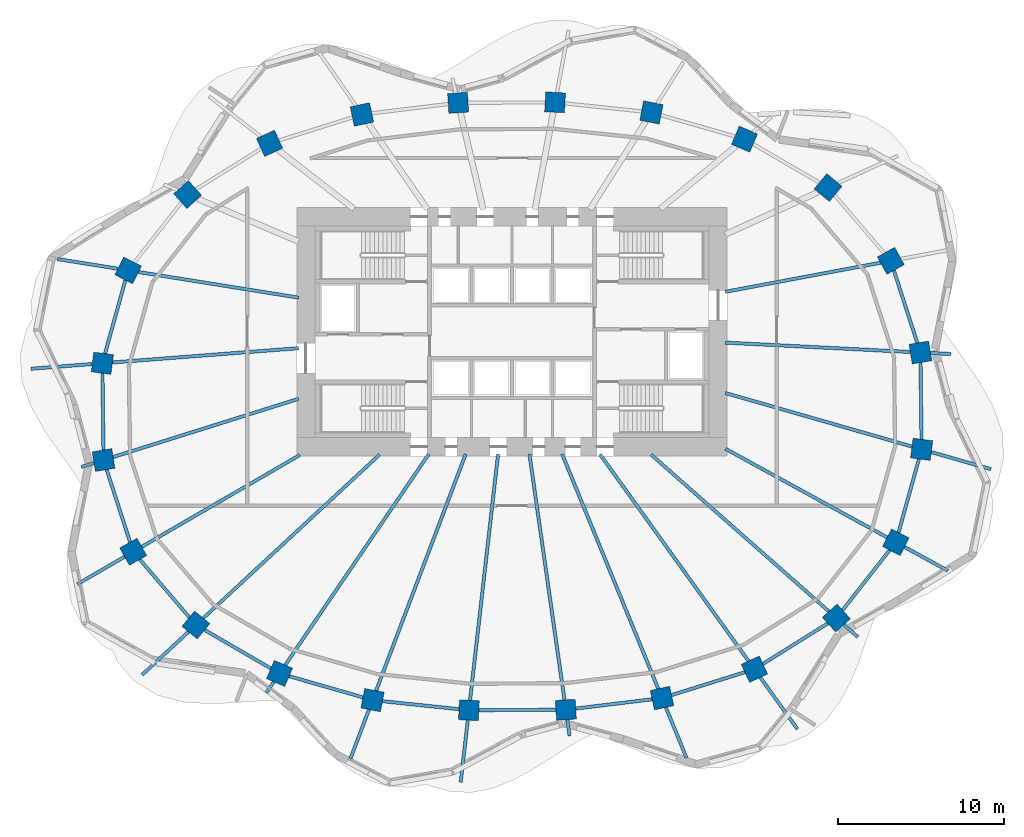
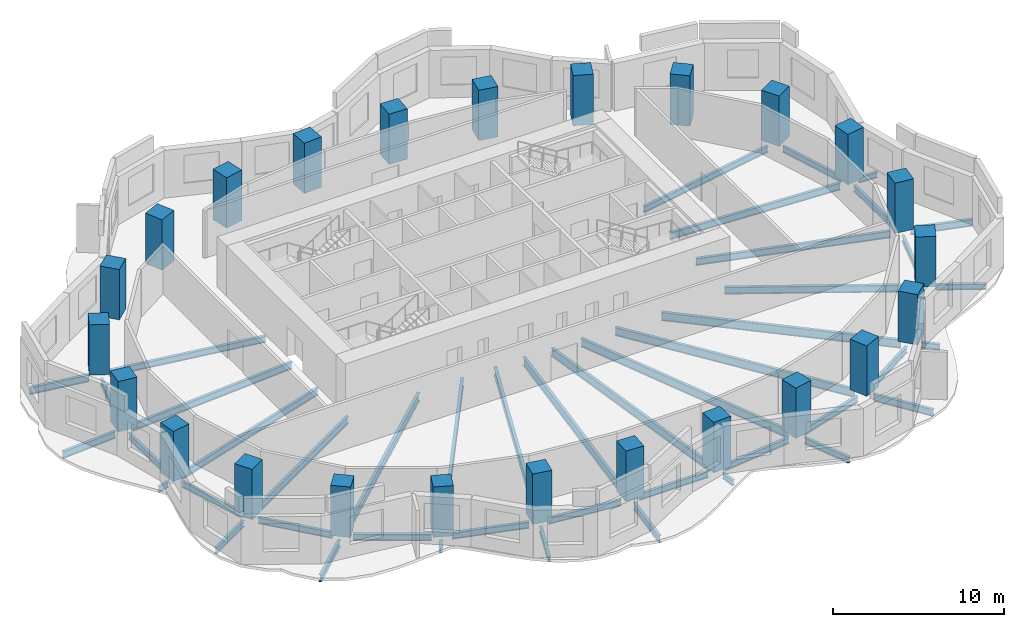
# One storey, part 1 of 8: 46 beams, 24 columns.
"""IFC4 building model written with IfcOpenShell, lengths in metres."""

from ifc_helpers import new_model, si_unit, direction, frame, origin, origin_2d, place, context, subcontext, project, spatial, rectangle, i_section, extrude, material, material_profile, profile_set, type_object, element, save


model = new_model("IFC4")

# Units and contexts
model_context = context("Model", 3, precision=1e-05, world=origin(), true_north=direction((0.0, 1.0)))
body_context = subcontext(model_context, "Body", "Model", "MODEL_VIEW")
ifc_project = project(units=[si_unit("LENGTHUNIT", "METRE"), si_unit("AREAUNIT", "SQUARE_METRE"), si_unit("VOLUMEUNIT", "CUBIC_METRE"), si_unit("PLANEANGLEUNIT", "RADIAN"), si_unit("MASSUNIT", "GRAM", prefix="KILO")], contexts=[model_context])

# Site, building, storey
site_placement = place(None, origin())
site = spatial("IfcSite", under=ifc_project, at=site_placement, CompositionType="ELEMENT")
building_placement = place(site_placement, origin())
building = spatial("IfcBuilding", under=site, at=building_placement, Name="Rubra Terraces Tower", CompositionType="ELEMENT")
storey_placement = place(building_placement, frame((0.0, 0.0, 106.800048828125)))
storey = spatial("IfcBuildingStorey", under=building, at=storey_placement, Name="L25", CompositionType="ELEMENT", Elevation=106.800048828125)

# Columns
ifc_material_1 = material(Name="Concrete C60", Category="concrete")
ifc_material_profile_1 = material_profile(ifc_material_1, rectangle(XDim=1.199951171875, YDim=1.199951171875, at=origin_2d()), Name="RC 1200x1200")
ifc_profile_set_1 = profile_set([ifc_material_profile_1], Name="Concrete C60")
column_type = type_object("IfcColumnType", Name="RING COLUMN RC 1200x1200 C60", PredefinedType="COLUMN", material=ifc_profile_set_1)
for number, where, z_axis, x_axis, name in (
    (1, (24.6689453125, 3.248046875, 0.0), (0.0, 0.0, 1.0), (-0.161559167715, 0.986863027642, 0.0), "column-L25-ring-01"),
    (2, (22.87890625, 8.787109375, 0.0), (0.0, 0.0, 1.0), (-0.48852601316, 0.872549330678, 0.0), "column-L25-ring-02"),
    (3, (19.092041015625, 13.208984375, 0.0), (0.0, 0.0, 1.0), (-0.76886986222, 0.63940529789, 0.0), "column-L25-ring-03"),
    (4, (14.0419921875, 16.135986328125, 0.0), (0.0, 0.0, 1.0), (-0.920167856842, 0.391524092789, 0.0), "column-L25-ring-04"),
    (5, (8.422119140625, 17.7490234375, 0.0), (0.0, 0.0, 1.0), (-0.981654668733, 0.19066754143, 0.0), "column-L25-ring-05"),
    (6, (2.60205078125, 18.35791015625, 0.0), (0.0, 0.0, 1.0), (-0.998764256028, 0.049698700995, 0.0), "column-L25-ring-06"),
    (7, (-3.25390625, 18.330078125, 0.0), (0.0, 0.0, 1.0), (-0.998031548759, -0.062713855578, 0.0), "column-L25-ring-07"),
    (8, (-9.06298828125, 17.625, 0.0), (0.0, 0.0, 1.0), (-0.977652674797, -0.210226657352, 0.0), "column-L25-ring-08"),
    (9, (-14.64306640625, 15.881103515625, 0.0), (0.0, 0.0, 1.0), (-0.908778580451, -0.417278673927, 0.0), "column-L25-ring-09"),
    (10, (-19.593017578125, 12.7900390625, 0.0), (0.0, 0.0, 1.0), (-0.744021317198, -0.668155879683, 0.0), "column-L25-ring-10"),
    (11, (-23.18505859375, 8.2099609375, 0.0), (0.0, 0.0, 1.0), (-0.451027931402, -0.892509834733, 0.0), "column-L25-ring-11"),
    (12, (-24.742919921875, 2.59912109375, 0.0), (0.0, 0.0, 1.0), (-0.128443684554, -0.991716804283, 0.0), "column-L25-ring-12"),
    (13, (-24.6689453125, -3.248046875, 0.0), (0.0, 0.0, 1.0), (0.161559167715, -0.986863027642, 0.0), "column-L25-ring-13"),
    (14, (-22.87890625, -8.787109375, 0.0), (0.0, 0.0, 1.0), (0.48852601316, -0.872549330678, 0.0), "column-L25-ring-14"),
    (15, (-19.092041015625, -13.208984375, 0.0), (0.0, 0.0, 1.0), (0.76886986222, -0.63940529789, 0.0), "column-L25-ring-15"),
    (16, (-14.0419921875, -16.135986328125, 0.0), (0.0, 0.0, 1.0), (0.920167856842, -0.391524092789, 0.0), "column-L25-ring-16"),
    (17, (-8.422119140625, -17.7490234375, 0.0), (0.0, 0.0, 1.0), (0.981654668733, -0.19066754143, 0.0), "column-L25-ring-17"),
    (18, (-2.60205078125, -18.35791015625, 0.0), (0.0, 0.0, 1.0), (0.998764256028, -0.049698700995, 0.0), "column-L25-ring-18"),
    (19, (3.25390625, -18.330078125, 0.0), (0.0, 0.0, 1.0), (0.998031548759, 0.062713855578, 0.0), "column-L25-ring-19"),
    (20, (9.06298828125, -17.625, 0.0), (0.0, 0.0, 1.0), (0.977652674797, 0.210226657352, 0.0), "column-L25-ring-20"),
    (21, (14.64306640625, -15.881103515625, 0.0), (0.0, 0.0, 1.0), (0.908778580451, 0.417278673927, 0.0), "column-L25-ring-21"),
    (22, (19.593017578125, -12.7900390625, 0.0), (0.0, 0.0, 1.0), (0.744021317198, 0.668155879683, 0.0), "column-L25-ring-22"),
    (23, (23.18505859375, -8.2099609375, 0.0), (0.0, 0.0, 1.0), (0.451027931402, 0.892509834733, 0.0), "column-L25-ring-23"),
    (24, (24.742919921875, -2.59912109375, 0.0), (0.0, 0.0, 1.0), (0.128443684554, 0.991716804283, 0.0), "column-L25-ring-24"),
):
    element("IfcColumn", number, at=place(storey_placement, frame(where, z_axis=z_axis, x_axis=x_axis)), inside=storey, type_object=column_type, Name=name, PredefinedType="COLUMN", context=body_context, shape_type="SweptSolid", body=[
        extrude(rectangle(XDim=1.199951171875, YDim=1.199951171875, at=origin_2d()), origin(), (0.0, 0.0, 1.0), 3.599853515625),
    ])

# Beams
ifc_material_2 = material(Name="Steel Q355B", Category="steel")
ifc_material_profile_2 = material_profile(ifc_material_2, i_section(OverallWidth=0.199951171875, OverallDepth=0.39990234375, WebThickness=0.008056640625, FlangeThickness=0.012939453125, at=origin_2d()), Name="HN 400x200x8x13")
ifc_profile_set_2 = profile_set([ifc_material_profile_2], Name="Steel Q355B")
beam_type_1 = type_object("IfcBeamType", Name="CANTILEVER BEAM HN 400x200x8x13", PredefinedType="BEAM", material=ifc_profile_set_2)
beam_1_placement = place(storey_placement, frame((-8.637939453125, -18.318115234375, -0.400146484375), z_axis=(-0.353924982786, -0.935273813682, 0.0), x_axis=(0.935273813682, -0.353924982786, 0.0)))
element("IfcBeam", 25, at=beam_1_placement, inside=storey, type_object=beam_type_1, Name="beam-L25-cant-17", PredefinedType="BEAM", context=body_context, shape_type="SweptSolid", body=[
    extrude(i_section(OverallWidth=0.199951171875, OverallDepth=0.39990234375, WebThickness=0.008056640625, FlangeThickness=0.012939453125, at=origin_2d()), origin(), (0.0, 0.0, 1.0), 3.159423828125),
])
beam_2_placement = place(storey_placement, frame((23.7109375, -8.4990234375, -0.400146484375), z_axis=(0.876950651009, -0.480580436238, 0.0), x_axis=(0.480580436238, 0.876950651009, 0.0)))
element("IfcBeam", 26, at=beam_2_placement, inside=storey, type_object=beam_type_1, Name="beam-L25-cant-23", PredefinedType="BEAM", context=body_context, shape_type="SweptSolid", body=[
    extrude(i_section(OverallWidth=0.199951171875, OverallDepth=0.39990234375, WebThickness=0.008056640625, FlangeThickness=0.012939453125, at=origin_2d()), origin(), (0.0, 0.0, 1.0), 2.9775390625),
])
ifc_material_profile_3 = material_profile(ifc_material_2, i_section(OverallWidth=0.198974609375, OverallDepth=0.446044921875, WebThickness=0.008056640625, FlangeThickness=0.011962890625, at=origin_2d()), Name="HN 446x199x8x12")
ifc_profile_set_3 = profile_set([ifc_material_profile_3], Name="Steel Q355B")
beam_type_2 = type_object("IfcBeamType", Name="CANTILEVER BEAM HN 446x199x8x12", PredefinedType="BEAM", material=ifc_profile_set_3)
beam_3_placement = place(storey_placement, frame((-23.39794921875, -9.087890625, -0.423095703125), z_axis=(-0.86464262301, -0.50238743463, 0.0), x_axis=(0.50238743463, -0.86464262301, 0.0)))
element("IfcBeam", 27, at=beam_3_placement, inside=storey, type_object=beam_type_2, Name="beam-L25-cant-14", PredefinedType="BEAM", context=body_context, shape_type="SweptSolid", body=[
    extrude(i_section(OverallWidth=0.198974609375, OverallDepth=0.446044921875, WebThickness=0.008056640625, FlangeThickness=0.011962890625, at=origin_2d()), origin(), (0.0, 0.0, 1.0), 3.29638671875),
])
beam_4_placement = place(storey_placement, frame((9.2939453125, -18.18896484375, -0.423095703125), z_axis=(0.379126606242, -0.925344809484, 0.0), x_axis=(0.925344809484, 0.379126606242, 0.0)))
element("IfcBeam", 28, at=beam_4_placement, inside=storey, type_object=beam_type_2, Name="beam-L25-cant-20", PredefinedType="BEAM", context=body_context, shape_type="SweptSolid", body=[
    extrude(i_section(OverallWidth=0.198974609375, OverallDepth=0.446044921875, WebThickness=0.008056640625, FlangeThickness=0.011962890625, at=origin_2d()), origin(), (0.0, 0.0, 1.0), 3.2919921875),
])
ifc_material_profile_4 = material_profile(ifc_material_2, i_section(OverallWidth=0.198974609375, OverallDepth=0.49609375, WebThickness=0.009033203125, FlangeThickness=0.013916015625, at=origin_2d()), Name="HN 496x199x9x14")
ifc_profile_set_4 = profile_set([ifc_material_profile_4], Name="Steel Q355B")
beam_type_3 = type_object("IfcBeamType", Name="CANTILEVER BEAM HN 496x199x9x14", PredefinedType="BEAM", material=ifc_profile_set_4)
beam_5_placement = place(storey_placement, frame((-23.806884765625, 8.31005859375, -0.447998046875), z_axis=(-0.987475125266, 0.157774766614, 0.0), x_axis=(-0.157774766614, -0.987475125266, 0.0)))
element("IfcBeam", 29, at=beam_5_placement, inside=storey, type_object=beam_type_3, Name="beam-L25-cant-11", PredefinedType="BEAM", context=body_context, shape_type="SweptSolid", body=[
    extrude(i_section(OverallWidth=0.198974609375, OverallDepth=0.49609375, WebThickness=0.009033203125, FlangeThickness=0.013916015625, at=origin_2d()), origin(), (0.0, 0.0, 1.0), 3.70751953125),
])
beam_6_placement = place(storey_placement, frame((-25.35400390625, 2.552001953125, -0.447998046875), z_axis=(-0.997073018081, -0.076455193514, 0.0), x_axis=(0.076455193514, -0.997073018081, 0.0)))
element("IfcBeam", 30, at=beam_6_placement, inside=storey, type_object=beam_type_3, Name="beam-L25-cant-12", PredefinedType="BEAM", context=body_context, shape_type="SweptSolid", body=[
    extrude(i_section(OverallWidth=0.198974609375, OverallDepth=0.49609375, WebThickness=0.009033203125, FlangeThickness=0.013916015625, at=origin_2d()), origin(), (0.0, 0.0, 1.0), 3.7138671875),
])
beam_7_placement = place(storey_placement, frame((-19.535888671875, -13.6201171875, -0.447998046875), z_axis=(-0.733193505832, -0.680020060737, 0.0), x_axis=(0.680020060737, -0.733193505832, 0.0)))
element("IfcBeam", 31, at=beam_7_placement, inside=storey, type_object=beam_type_3, Name="beam-L25-cant-15", PredefinedType="BEAM", context=body_context, shape_type="SweptSolid", body=[
    extrude(i_section(OverallWidth=0.198974609375, OverallDepth=0.49609375, WebThickness=0.009033203125, FlangeThickness=0.013916015625, at=origin_2d()), origin(), (0.0, 0.0, 1.0), 3.82470703125),
])
beam_8_placement = place(storey_placement, frame((-2.669921875, -18.955078125, -0.447998046875), z_axis=(-0.113077962059, -0.993586118309, 0.0), x_axis=(0.993586118309, -0.113077962059, 0.0)))
element("IfcBeam", 32, at=beam_8_placement, inside=storey, type_object=beam_type_3, Name="beam-L25-cant-18", PredefinedType="BEAM", context=body_context, shape_type="SweptSolid", body=[
    extrude(i_section(OverallWidth=0.198974609375, OverallDepth=0.49609375, WebThickness=0.009033203125, FlangeThickness=0.013916015625, at=origin_2d()), origin(), (0.0, 0.0, 1.0), 3.776123046875),
])
beam_9_placement = place(storey_placement, frame((15.0, -16.376953125, -0.447998046875), z_axis=(0.583285233982, -0.812267404134, 0.0), x_axis=(0.812267404134, 0.583285233982, 0.0)))
element("IfcBeam", 33, at=beam_9_placement, inside=storey, type_object=beam_type_3, Name="beam-L25-cant-21", PredefinedType="BEAM", context=body_context, shape_type="SweptSolid", body=[
    extrude(i_section(OverallWidth=0.198974609375, OverallDepth=0.49609375, WebThickness=0.009033203125, FlangeThickness=0.013916015625, at=origin_2d()), origin(), (0.0, 0.0, 1.0), 3.84375),
])
beam_10_placement = place(storey_placement, frame((25.325927734375, -2.76611328125, -0.447998046875), z_axis=(0.961186424696, -0.275899722691, 0.0), x_axis=(0.275899722691, 0.961186424696, 0.0)))
element("IfcBeam", 34, at=beam_10_placement, inside=storey, type_object=beam_type_3, Name="beam-L25-cant-24", PredefinedType="BEAM", context=body_context, shape_type="SweptSolid", body=[
    extrude(i_section(OverallWidth=0.198974609375, OverallDepth=0.49609375, WebThickness=0.009033203125, FlangeThickness=0.013916015625, at=origin_2d()), origin(), (0.0, 0.0, 1.0), 3.74755859375),
])
ifc_material_profile_5 = material_profile(ifc_material_2, i_section(OverallWidth=0.199951171875, OverallDepth=0.39990234375, WebThickness=0.008056640625, FlangeThickness=0.012939453125, at=origin_2d()), Name="HN 400x200x8x13")
ifc_profile_set_5 = profile_set([ifc_material_profile_5], Name="Steel Q355B")
beam_type_4 = type_object("IfcBeamType", Name="CANTILEVER STUB HN 400x200x8x13", PredefinedType="BEAM", material=ifc_profile_set_5)
beam_11_placement = place(storey_placement, frame((25.281982421875, 3.217041015625, -0.400146484375), z_axis=(0.998710628235, -0.05076495889, 0.0), x_axis=(0.05076495889, 0.998710628235, 0.0)))
element("IfcBeam", 35, at=beam_11_placement, inside=storey, type_object=beam_type_4, Name="beam-L25-cant-01", PredefinedType="BEAM", context=body_context, shape_type="SweptSolid", body=[
    extrude(i_section(OverallWidth=0.199951171875, OverallDepth=0.39990234375, WebThickness=0.008056640625, FlangeThickness=0.012939453125, at=origin_2d()), origin(), (0.0, 0.0, 1.0), 1.221435546875),
])
beam_12_placement = place(storey_placement, frame((-25.2470703125, -3.429931640625, -0.400146484375), z_axis=(-0.954158471726, -0.299301872419, 0.0), x_axis=(0.299301872419, -0.954158471726, 0.0)))
element("IfcBeam", 36, at=beam_12_placement, inside=storey, type_object=beam_type_4, Name="beam-L25-cant-13", PredefinedType="BEAM", context=body_context, shape_type="SweptSolid", body=[
    extrude(i_section(OverallWidth=0.199951171875, OverallDepth=0.39990234375, WebThickness=0.008056640625, FlangeThickness=0.012939453125, at=origin_2d()), origin(), (0.0, 0.0, 1.0), 0.798583984375),
])
beam_13_placement = place(storey_placement, frame((-14.385986328125, -16.64208984375, -0.400146484375), z_axis=(-0.562508960897, -0.826791188215, 0.0), x_axis=(0.826791188215, -0.562508960897, 0.0)))
element("IfcBeam", 37, at=beam_13_placement, inside=storey, type_object=beam_type_4, Name="beam-L25-cant-16", PredefinedType="BEAM", context=body_context, shape_type="SweptSolid", body=[
    extrude(i_section(OverallWidth=0.199951171875, OverallDepth=0.39990234375, WebThickness=0.008056640625, FlangeThickness=0.012939453125, at=origin_2d()), origin(), (0.0, 0.0, 1.0), 0.8056640625),
])
beam_14_placement = place(storey_placement, frame((3.339111328125, -18.926025390625, -0.400146484375), z_axis=(0.141042279359, -0.990003573445, 0.0), x_axis=(0.990003573445, 0.141042279359, 0.0)))
element("IfcBeam", 38, at=beam_14_placement, inside=storey, type_object=beam_type_4, Name="beam-L25-cant-19", PredefinedType="BEAM", context=body_context, shape_type="SweptSolid", body=[
    extrude(i_section(OverallWidth=0.199951171875, OverallDepth=0.39990234375, WebThickness=0.008056640625, FlangeThickness=0.012939453125, at=origin_2d()), origin(), (0.0, 0.0, 1.0), 0.991943359375),
])
beam_15_placement = place(storey_placement, frame((20.0458984375, -13.18994140625, -0.400146484375), z_axis=(0.749704782157, -0.661772422825, 0.0), x_axis=(0.661772422825, 0.749704782157, 0.0)))
element("IfcBeam", 39, at=beam_15_placement, inside=storey, type_object=beam_type_4, Name="beam-L25-cant-22", PredefinedType="BEAM", context=body_context, shape_type="SweptSolid", body=[
    extrude(i_section(OverallWidth=0.199951171875, OverallDepth=0.39990234375, WebThickness=0.008056640625, FlangeThickness=0.012939453125, at=origin_2d()), origin(), (0.0, 0.0, 1.0), 1.12451171875),
])
ifc_material_profile_6 = material_profile(ifc_material_2, i_section(OverallWidth=0.198974609375, OverallDepth=0.446044921875, WebThickness=0.008056640625, FlangeThickness=0.011962890625, at=origin_2d()), Name="HN 446x199x8x12")
ifc_profile_set_6 = profile_set([ifc_material_profile_6], Name="Steel Q355B")
beam_type_5 = type_object("IfcBeamType", Name="FLOOR BEAM HN 446x199x8x12", PredefinedType="BEAM", material=ifc_profile_set_6)
beam_16_placement = place(storey_placement, frame((22.257080078125, 8.669921875, -0.423095703125), z_axis=(-0.982909257943, -0.184090713102, 0.0), x_axis=(0.184090713102, -0.982909257943, 0.0)))
element("IfcBeam", 40, at=beam_16_placement, inside=storey, type_object=beam_type_5, Name="beam-L25-floor-02", PredefinedType="BEAM", context=body_context, shape_type="SweptSolid", body=[
    extrude(i_section(OverallWidth=0.198974609375, OverallDepth=0.446044921875, WebThickness=0.008056640625, FlangeThickness=0.011962890625, at=origin_2d()), origin(), (0.0, 0.0, 1.0), 9.5380859375),
])
beam_17_placement = place(storey_placement, frame((-22.56298828125, 8.110107421875, -0.423095703125), z_axis=(0.987438611706, -0.158003126908, 0.0), x_axis=(0.158003126908, 0.987438611706, 0.0)))
element("IfcBeam", 41, at=beam_17_placement, inside=storey, type_object=beam_type_5, Name="beam-L25-floor-11", PredefinedType="BEAM", context=body_context, shape_type="SweptSolid", body=[
    extrude(i_section(OverallWidth=0.198974609375, OverallDepth=0.446044921875, WebThickness=0.008056640625, FlangeThickness=0.011962890625, at=origin_2d()), origin(), (0.0, 0.0, 1.0), 9.803955078125),
])
ifc_material_profile_7 = material_profile(ifc_material_2, i_section(OverallWidth=0.198974609375, OverallDepth=0.49609375, WebThickness=0.009033203125, FlangeThickness=0.013916015625, at=origin_2d()), Name="HN 496x199x9x14")
ifc_profile_set_7 = profile_set([ifc_material_profile_7], Name="Steel Q355B")
beam_type_6 = type_object("IfcBeamType", Name="FLOOR BEAM HN 496x199x9x14", PredefinedType="BEAM", material=ifc_profile_set_7)
beam_18_placement = place(storey_placement, frame((24.055908203125, 3.279052734375, -0.447998046875), z_axis=(-0.998716006853, 0.050659033312, 0.0), x_axis=(-0.050659033312, -0.998716006853, 0.0)))
element("IfcBeam", 42, at=beam_18_placement, inside=storey, type_object=beam_type_6, Name="beam-L25-floor-01", PredefinedType="BEAM", context=body_context, shape_type="SweptSolid", body=[
    extrude(i_section(OverallWidth=0.198974609375, OverallDepth=0.49609375, WebThickness=0.009033203125, FlangeThickness=0.013916015625, at=origin_2d()), origin(), (0.0, 0.0, 1.0), 11.1904296875),
])
beam_19_placement = place(storey_placement, frame((-24.132080078125, 2.64599609375, -0.447998046875), z_axis=(0.99706491124, 0.076560843604, 0.0), x_axis=(-0.076560843604, 0.99706491124, 0.0)))
element("IfcBeam", 43, at=beam_19_placement, inside=storey, type_object=beam_type_6, Name="beam-L25-floor-12", PredefinedType="BEAM", context=body_context, shape_type="SweptSolid", body=[
    extrude(i_section(OverallWidth=0.198974609375, OverallDepth=0.49609375, WebThickness=0.009033203125, FlangeThickness=0.013916015625, at=origin_2d()), origin(), (0.0, 0.0, 1.0), 11.285400390625),
])
beam_20_placement = place(storey_placement, frame((-24.091064453125, -3.06591796875, -0.447998046875), z_axis=(0.954061815263, 0.299609834046, 0.0), x_axis=(-0.299609834046, 0.954061815263, 0.0)))
element("IfcBeam", 44, at=beam_20_placement, inside=storey, type_object=beam_type_6, Name="beam-L25-floor-13", PredefinedType="BEAM", context=body_context, shape_type="SweptSolid", body=[
    extrude(i_section(OverallWidth=0.198974609375, OverallDepth=0.49609375, WebThickness=0.009033203125, FlangeThickness=0.013916015625, at=origin_2d()), origin(), (0.0, 0.0, 1.0), 11.74462890625),
])
beam_21_placement = place(storey_placement, frame((-22.360107421875, -8.486083984375, -0.447998046875), z_axis=(0.864729170152, 0.502238451623, 0.0), x_axis=(-0.502238451623, 0.864729170152, 0.0)))
element("IfcBeam", 45, at=beam_21_placement, inside=storey, type_object=beam_type_6, Name="beam-L25-floor-14", PredefinedType="BEAM", context=body_context, shape_type="SweptSolid", body=[
    extrude(i_section(OverallWidth=0.198974609375, OverallDepth=0.49609375, WebThickness=0.009033203125, FlangeThickness=0.013916015625, at=origin_2d()), origin(), (0.0, 0.0, 1.0), 11.04296875),
])
beam_22_placement = place(storey_placement, frame((22.658935546875, -7.9208984375, -0.447998046875), z_axis=(-0.876910796921, 0.480653153785, 0.0), x_axis=(-0.480653153785, -0.876910796921, 0.0)))
element("IfcBeam", 46, at=beam_22_placement, inside=storey, type_object=beam_type_6, Name="beam-L25-floor-23", PredefinedType="BEAM", context=body_context, shape_type="SweptSolid", body=[
    extrude(i_section(OverallWidth=0.198974609375, OverallDepth=0.49609375, WebThickness=0.009033203125, FlangeThickness=0.013916015625, at=origin_2d()), origin(), (0.0, 0.0, 1.0), 11.134521484375),
])
beam_23_placement = place(storey_placement, frame((24.159912109375, -2.431884765625, -0.447998046875), z_axis=(-0.9612201884, 0.275782068691, 0.0), x_axis=(-0.275782068691, -0.9612201884, 0.0)))
element("IfcBeam", 47, at=beam_23_placement, inside=storey, type_object=beam_type_6, Name="beam-L25-floor-24", PredefinedType="BEAM", context=body_context, shape_type="SweptSolid", body=[
    extrude(i_section(OverallWidth=0.198974609375, OverallDepth=0.49609375, WebThickness=0.009033203125, FlangeThickness=0.013916015625, at=origin_2d()), origin(), (0.0, 0.0, 1.0), 11.729736328125),
])
ifc_material_profile_8 = material_profile(ifc_material_2, i_section(OverallWidth=0.198974609375, OverallDepth=0.595947265625, WebThickness=0.010009765625, FlangeThickness=0.014892578125, at=origin_2d()), Name="HN 596x199x10x15")
ifc_profile_set_8 = profile_set([ifc_material_profile_8], Name="Steel Q355B")
beam_type_7 = type_object("IfcBeamType", Name="FLOOR BEAM HN 596x199x10x15", PredefinedType="BEAM", material=ifc_profile_set_8)
beam_24_placement = place(storey_placement, frame((-18.64794921875, -12.798095703125, -0.498046875), z_axis=(0.733104668463, 0.680115832104, 0.0), x_axis=(-0.680115832104, 0.733104668463, 0.0)))
element("IfcBeam", 48, at=beam_24_placement, inside=storey, type_object=beam_type_7, Name="beam-L25-floor-15", PredefinedType="BEAM", context=body_context, shape_type="SweptSolid", body=[
    extrude(i_section(OverallWidth=0.198974609375, OverallDepth=0.595947265625, WebThickness=0.010009765625, FlangeThickness=0.014892578125, at=origin_2d()), origin(), (0.0, 0.0, 1.0), 14.527099609375),
])
beam_25_placement = place(storey_placement, frame((-13.697998046875, -15.6298828125, -0.498046875), z_axis=(0.562593638313, 0.82673357143, 0.0), x_axis=(-0.82673357143, 0.562593638313, 0.0)))
element("IfcBeam", 49, at=beam_25_placement, inside=storey, type_object=beam_type_7, Name="beam-L25-floor-16", PredefinedType="BEAM", context=body_context, shape_type="SweptSolid", body=[
    extrude(i_section(OverallWidth=0.198974609375, OverallDepth=0.595947265625, WebThickness=0.010009765625, FlangeThickness=0.014892578125, at=origin_2d()), origin(), (0.0, 0.0, 1.0), 15.396728515625),
])
beam_26_placement = place(storey_placement, frame((-8.2060546875, -17.179931640625, -0.498046875), z_axis=(0.35395819717, 0.935261244068, 0.0), x_axis=(-0.935261244068, 0.35395819717, 0.0)))
element("IfcBeam", 50, at=beam_26_placement, inside=storey, type_object=beam_type_7, Name="beam-L25-floor-17", PredefinedType="BEAM", context=body_context, shape_type="SweptSolid", body=[
    extrude(i_section(OverallWidth=0.198974609375, OverallDepth=0.595947265625, WebThickness=0.010009765625, FlangeThickness=0.014892578125, at=origin_2d()), origin(), (0.0, 0.0, 1.0), 15.28125),
])
beam_27_placement = place(storey_placement, frame((-2.533935546875, -17.760986328125, -0.498046875), z_axis=(0.113104280783, 0.993583122677, 0.0), x_axis=(-0.993583122677, 0.113104280783, 0.0)))
element("IfcBeam", 51, at=beam_27_placement, inside=storey, type_object=beam_type_7, Name="beam-L25-floor-18", PredefinedType="BEAM", context=body_context, shape_type="SweptSolid", body=[
    extrude(i_section(OverallWidth=0.198974609375, OverallDepth=0.595947265625, WebThickness=0.010009765625, FlangeThickness=0.014892578125, at=origin_2d()), origin(), (0.0, 0.0, 1.0), 14.97607421875),
])
beam_28_placement = place(storey_placement, frame((3.1689453125, -17.73388671875, -0.498046875), z_axis=(-0.141102399867, 0.989995006428, 0.0), x_axis=(-0.989995006428, -0.141102399867, 0.0)))
element("IfcBeam", 52, at=beam_28_placement, inside=storey, type_object=beam_type_7, Name="beam-L25-floor-19", PredefinedType="BEAM", context=body_context, shape_type="SweptSolid", body=[
    extrude(i_section(OverallWidth=0.198974609375, OverallDepth=0.595947265625, WebThickness=0.010009765625, FlangeThickness=0.014892578125, at=origin_2d()), origin(), (0.0, 0.0, 1.0), 15.0029296875),
])
beam_29_placement = place(storey_placement, frame((8.83203125, -17.06103515625, -0.498046875), z_axis=(-0.379038143634, 0.925381048904, 0.0), x_axis=(-0.925381048904, -0.379038143634, 0.0)))
element("IfcBeam", 53, at=beam_29_placement, inside=storey, type_object=beam_type_7, Name="beam-L25-floor-20", PredefinedType="BEAM", context=body_context, shape_type="SweptSolid", body=[
    extrude(i_section(OverallWidth=0.198974609375, OverallDepth=0.595947265625, WebThickness=0.010009765625, FlangeThickness=0.014892578125, at=origin_2d()), origin(), (0.0, 0.0, 1.0), 15.31494140625),
])
beam_30_placement = place(storey_placement, frame((14.285888671875, -15.385009765625, -0.498046875), z_axis=(-0.583480892091, 0.812126867284, 0.0), x_axis=(-0.812126867284, -0.583480892091, 0.0)))
element("IfcBeam", 54, at=beam_30_placement, inside=storey, type_object=beam_type_7, Name="beam-L25-floor-21", PredefinedType="BEAM", context=body_context, shape_type="SweptSolid", body=[
    extrude(i_section(OverallWidth=0.198974609375, OverallDepth=0.595947265625, WebThickness=0.010009765625, FlangeThickness=0.014892578125, at=origin_2d()), origin(), (0.0, 0.0, 1.0), 15.369384765625),
])
beam_31_placement = place(storey_placement, frame((19.139892578125, -12.389892578125, -0.498046875), z_axis=(-0.749820430817, 0.661641384384, 0.0), x_axis=(-0.661641384384, -0.749820430817, 0.0)))
element("IfcBeam", 55, at=beam_31_placement, inside=storey, type_object=beam_type_7, Name="beam-L25-floor-22", PredefinedType="BEAM", context=body_context, shape_type="SweptSolid", body=[
    extrude(i_section(OverallWidth=0.198974609375, OverallDepth=0.595947265625, WebThickness=0.010009765625, FlangeThickness=0.014892578125, at=origin_2d()), origin(), (0.0, 0.0, 1.0), 14.311279296875),
])
ifc_material_profile_9 = material_profile(ifc_material_2, i_section(OverallWidth=0.198974609375, OverallDepth=0.446044921875, WebThickness=0.008056640625, FlangeThickness=0.011962890625, at=origin_2d()), Name="HN 446x199x8x12")
ifc_profile_set_9 = profile_set([ifc_material_profile_9], Name="Steel Q355B")
beam_type_8 = type_object("IfcBeamType", Name="SPANDREL BEAM HN 446x199x8x12", PredefinedType="SPANDREL", material=ifc_profile_set_9)
beam_32_placement = place(storey_placement, frame((24.48193359375, 3.824951171875, -0.423095703125), z_axis=(-0.307414966872, 0.951575555667, 0.0), x_axis=(-0.951575555667, -0.307414966872, 0.0)))
element("IfcBeam", 56, at=beam_32_placement, inside=storey, type_object=beam_type_8, Name="beam-L25-spandrel-01", PredefinedType="SPANDREL", context=body_context, shape_type="SweptSolid", body=[
    extrude(i_section(OverallWidth=0.198974609375, OverallDepth=0.446044921875, WebThickness=0.008056640625, FlangeThickness=0.011962890625, at=origin_2d()), origin(), (0.0, 0.0, 1.0), 4.60302734375),
])
beam_33_placement = place(storey_placement, frame((-23.34912109375, 7.6201171875, -0.423095703125), z_axis=(-0.26752901479, -0.963549804756, 0.0), x_axis=(0.963549804756, -0.26752901479, 0.0)))
element("IfcBeam", 57, at=beam_33_placement, inside=storey, type_object=beam_type_8, Name="beam-L25-spandrel-11", PredefinedType="SPANDREL", context=body_context, shape_type="SweptSolid", body=[
    extrude(i_section(OverallWidth=0.198974609375, OverallDepth=0.446044921875, WebThickness=0.008056640625, FlangeThickness=0.011962890625, at=origin_2d()), origin(), (0.0, 0.0, 1.0), 4.60498046875),
])
beam_34_placement = place(storey_placement, frame((-24.735107421875, 1.992919921875, -0.423095703125), z_axis=(0.012537869063, -0.999921397831, 0.0), x_axis=(0.999921397831, 0.012537869063, 0.0)))
element("IfcBeam", 58, at=beam_34_placement, inside=storey, type_object=beam_type_8, Name="beam-L25-spandrel-12", PredefinedType="SPANDREL", context=body_context, shape_type="SweptSolid", body=[
    extrude(i_section(OverallWidth=0.198974609375, OverallDepth=0.446044921875, WebThickness=0.008056640625, FlangeThickness=0.011962890625, at=origin_2d()), origin(), (0.0, 0.0, 1.0), 4.63427734375),
])
beam_35_placement = place(storey_placement, frame((-24.48193359375, -3.824951171875, -0.423095703125), z_axis=(0.307414966872, -0.951575555667, 0.0), x_axis=(0.951575555667, 0.307414966872, 0.0)))
element("IfcBeam", 59, at=beam_35_placement, inside=storey, type_object=beam_type_8, Name="beam-L25-spandrel-13", PredefinedType="SPANDREL", context=body_context, shape_type="SweptSolid", body=[
    extrude(i_section(OverallWidth=0.198974609375, OverallDepth=0.446044921875, WebThickness=0.008056640625, FlangeThickness=0.011962890625, at=origin_2d()), origin(), (0.0, 0.0, 1.0), 4.60302734375),
])
beam_36_placement = place(storey_placement, frame((-22.48095703125, -9.251953125, -0.423095703125), z_axis=(0.650428637413, -0.759567368726, 0.0), x_axis=(0.759567368726, 0.650428637413, 0.0)))
element("IfcBeam", 60, at=beam_36_placement, inside=storey, type_object=beam_type_8, Name="beam-L25-spandrel-14", PredefinedType="SPANDREL", context=body_context, shape_type="SweptSolid", body=[
    extrude(i_section(OverallWidth=0.198974609375, OverallDepth=0.446044921875, WebThickness=0.008056640625, FlangeThickness=0.011962890625, at=origin_2d()), origin(), (0.0, 0.0, 1.0), 4.6015625),
])
beam_37_placement = place(storey_placement, frame((-18.56494140625, -13.513916015625, -0.423095703125), z_axis=(0.865116425734, -0.501571101565, 0.0), x_axis=(0.501571101565, 0.865116425734, 0.0)))
element("IfcBeam", 61, at=beam_37_placement, inside=storey, type_object=beam_type_8, Name="beam-L25-spandrel-15", PredefinedType="SPANDREL", context=body_context, shape_type="SweptSolid", body=[
    extrude(i_section(OverallWidth=0.198974609375, OverallDepth=0.446044921875, WebThickness=0.008056640625, FlangeThickness=0.011962890625, at=origin_2d()), origin(), (0.0, 0.0, 1.0), 4.62353515625),
])
beam_38_placement = place(storey_placement, frame((-13.4609375, -16.302978515625, -0.423095703125), z_axis=(0.961195652649, -0.275867572085, 0.0), x_axis=(0.275867572085, 0.961195652649, 0.0)))
element("IfcBeam", 62, at=beam_38_placement, inside=storey, type_object=beam_type_8, Name="beam-L25-spandrel-16", PredefinedType="SPANDREL", context=body_context, shape_type="SweptSolid", body=[
    extrude(i_section(OverallWidth=0.198974609375, OverallDepth=0.446044921875, WebThickness=0.008056640625, FlangeThickness=0.011962890625, at=origin_2d()), origin(), (0.0, 0.0, 1.0), 4.639892578125),
])
beam_39_placement = place(storey_placement, frame((-7.822998046875, -17.81201171875, -0.423095703125), z_axis=(0.994588599148, -0.103891859374, 0.0), x_axis=(0.103891859374, 0.994588599148, 0.0)))
element("IfcBeam", 63, at=beam_39_placement, inside=storey, type_object=beam_type_8, Name="beam-L25-spandrel-17", PredefinedType="SPANDREL", context=body_context, shape_type="SweptSolid", body=[
    extrude(i_section(OverallWidth=0.198974609375, OverallDepth=0.446044921875, WebThickness=0.008056640625, FlangeThickness=0.011962890625, at=origin_2d()), origin(), (0.0, 0.0, 1.0), 4.648193359375),
])
beam_40_placement = place(storey_placement, frame((-2.0009765625, -18.35498046875, -0.423095703125), z_axis=(0.99998885538, 0.004721135025, 0.0), x_axis=(-0.004721135025, 0.99998885538, 0.0)))
element("IfcBeam", 64, at=beam_40_placement, inside=storey, type_object=beam_type_8, Name="beam-L25-spandrel-18", PredefinedType="SPANDREL", context=body_context, shape_type="SweptSolid", body=[
    extrude(i_section(OverallWidth=0.198974609375, OverallDepth=0.446044921875, WebThickness=0.008056640625, FlangeThickness=0.011962890625, at=origin_2d()), origin(), (0.0, 0.0, 1.0), 4.654052734375),
])
beam_41_placement = place(storey_placement, frame((3.85107421875, -18.258056640625, -0.423095703125), z_axis=(0.992713612833, 0.120497646851, 0.0), x_axis=(-0.120497646851, 0.992713612833, 0.0)))
element("IfcBeam", 65, at=beam_41_placement, inside=storey, type_object=beam_type_8, Name="beam-L25-spandrel-19", PredefinedType="SPANDREL", context=body_context, shape_type="SweptSolid", body=[
    extrude(i_section(OverallWidth=0.198974609375, OverallDepth=0.446044921875, WebThickness=0.008056640625, FlangeThickness=0.011962890625, at=origin_2d()), origin(), (0.0, 0.0, 1.0), 4.64794921875),
])
beam_42_placement = place(storey_placement, frame((9.637939453125, -17.445068359375, -0.423095703125), z_axis=(0.954462184919, 0.298331925142, 0.0), x_axis=(-0.298331925142, 0.954462184919, 0.0)))
element("IfcBeam", 66, at=beam_42_placement, inside=storey, type_object=beam_type_8, Name="beam-L25-spandrel-20", PredefinedType="SPANDREL", context=body_context, shape_type="SweptSolid", body=[
    extrude(i_section(OverallWidth=0.198974609375, OverallDepth=0.446044921875, WebThickness=0.008056640625, FlangeThickness=0.011962890625, at=origin_2d()), origin(), (0.0, 0.0, 1.0), 4.63916015625),
])
beam_43_placement = place(storey_placement, frame((15.156005859375, -15.56103515625, -0.423095703125), z_axis=(0.848188188849, 0.529695003089, 0.0), x_axis=(-0.529695003089, 0.848188188849, 0.0)))
element("IfcBeam", 67, at=beam_43_placement, inside=storey, type_object=beam_type_8, Name="beam-L25-spandrel-21", PredefinedType="SPANDREL", context=body_context, shape_type="SweptSolid", body=[
    extrude(i_section(OverallWidth=0.198974609375, OverallDepth=0.446044921875, WebThickness=0.008056640625, FlangeThickness=0.011962890625, at=origin_2d()), origin(), (0.0, 0.0, 1.0), 4.62158203125),
])
beam_44_placement = place(storey_placement, frame((19.968994140625, -12.31103515625, -0.423095703125), z_axis=(0.61694919408, 0.787002980886, 0.0), x_axis=(-0.787002980886, 0.61694919408, 0.0)))
element("IfcBeam", 68, at=beam_44_placement, inside=storey, type_object=beam_type_8, Name="beam-L25-spandrel-22", PredefinedType="SPANDREL", context=body_context, shape_type="SweptSolid", body=[
    extrude(i_section(OverallWidth=0.198974609375, OverallDepth=0.446044921875, WebThickness=0.008056640625, FlangeThickness=0.011962890625, at=origin_2d()), origin(), (0.0, 0.0, 1.0), 4.599853515625),
])
beam_45_placement = place(storey_placement, frame((23.34912109375, -7.6201171875, -0.423095703125), z_axis=(0.26752901479, 0.963549804756, 0.0), x_axis=(-0.963549804756, 0.26752901479, 0.0)))
element("IfcBeam", 69, at=beam_45_placement, inside=storey, type_object=beam_type_8, Name="beam-L25-spandrel-23", PredefinedType="SPANDREL", context=body_context, shape_type="SweptSolid", body=[
    extrude(i_section(OverallWidth=0.198974609375, OverallDepth=0.446044921875, WebThickness=0.008056640625, FlangeThickness=0.011962890625, at=origin_2d()), origin(), (0.0, 0.0, 1.0), 4.60498046875),
])
beam_46_placement = place(storey_placement, frame((24.735107421875, -1.992919921875, -0.423095703125), z_axis=(-0.012537869063, 0.999921397831, 0.0), x_axis=(-0.999921397831, -0.012537869063, 0.0)))
element("IfcBeam", 70, at=beam_46_placement, inside=storey, type_object=beam_type_8, Name="beam-L25-spandrel-24", PredefinedType="SPANDREL", context=body_context, shape_type="SweptSolid", body=[
    extrude(i_section(OverallWidth=0.198974609375, OverallDepth=0.446044921875, WebThickness=0.008056640625, FlangeThickness=0.011962890625, at=origin_2d()), origin(), (0.0, 0.0, 1.0), 4.63427734375),
])

save(model, "model.ifc")
